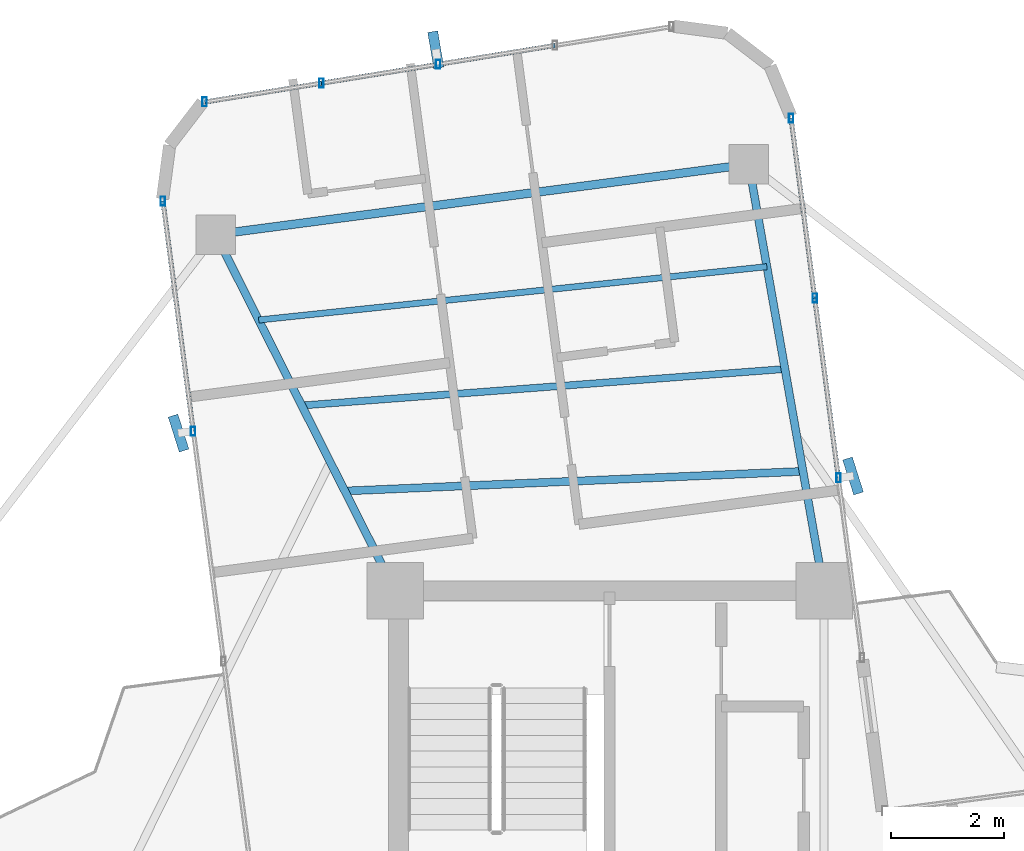
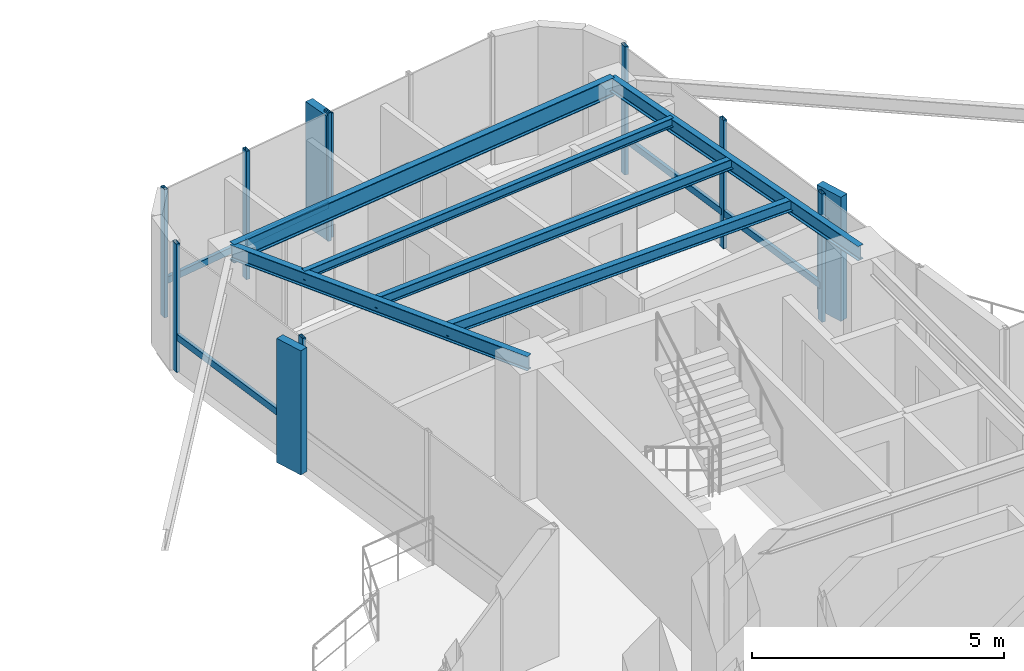
# One storey, part 14 of 22: 17 members, 6 beams, 3 elements without a shape of their own.
"""IFC4 building model written with IfcOpenShell, lengths in metres."""

from ifc_helpers import new_model, si_unit, direction, frame, origin, origin_2d, place, context, subcontext, project, spatial, rectangle, hollow_rectangle, i_section, extrude, source, transform, mapped, material, material_profile, profile_set, type_object, element, aggregate, save


model = new_model("IFC4")

# Units and contexts
model_context = context("Model", 3, precision=1e-05, world=origin(), true_north=direction((0.0, 1.0)))
body_context = subcontext(model_context, "Body", "Model", "MODEL_VIEW")
ifc_project = project(units=[si_unit("LENGTHUNIT", "METRE"), si_unit("AREAUNIT", "SQUARE_METRE"), si_unit("VOLUMEUNIT", "CUBIC_METRE"), si_unit("PLANEANGLEUNIT", "RADIAN"), si_unit("MASSUNIT", "GRAM", prefix="KILO")], contexts=[model_context])

# Site, building, storey
site_placement = place(None, origin())
site = spatial("IfcSite", under=ifc_project, at=site_placement, CompositionType="ELEMENT")
building_placement = place(site_placement, origin())
building = spatial("IfcBuilding", under=site, at=building_placement, Name="Sahyath Konkavel Grand Hotel", CompositionType="ELEMENT")
storey_placement = place(building_placement, frame((0.0, 0.0, 247.85009765625)))
storey = spatial("IfcBuildingStorey", under=building, at=storey_placement, Name="L69", CompositionType="ELEMENT", Elevation=247.85009765625)

# Beams
ifc_material_1 = material(Name="Steel E350", Category="steel")
ifc_material_profile_1 = material_profile(ifc_material_1, i_section(OverallWidth=0.139892578125, OverallDepth=0.35009765625, WebThickness=0.008056640625, FlangeThickness=0.01416015625, FilletRadius=0.013916015625, at=origin_2d()), Name="ISMB 350")
ifc_profile_set_1 = profile_set([ifc_material_profile_1], Name="Steel E350")
beam_type_1 = type_object("IfcBeamType", Name="BM-ISMB350", PredefinedType="BEAM", material=ifc_profile_set_1)
shared_shape_1 = source(origin(), body_context, "Body", "SweptSolid", [
    extrude(i_section(OverallWidth=0.139892578125, OverallDepth=0.35009765625, WebThickness=0.008056640625, FlangeThickness=0.01416015625, FilletRadius=0.013916015625, at=origin_2d()), origin(), (0.0, 0.0, 1.0), 7.670654296875),
])
beam_1_placement = place(storey_placement, frame((3.800048828125, 10.199951171875, 2.934814453125), z_axis=(-0.173810753243, 0.984779072715, 0.0), x_axis=(-0.984779072715, -0.173810753243, 0.0)))
element("IfcBeam", 1, at=beam_1_placement, inside=storey, type_object=beam_type_1, Name="L69 Cruciform Radial Girder NA", PredefinedType="BEAM", context=body_context, shape_type="MappedRepresentation", body=[
    mapped(shared_shape_1, transform((0.0, 0.0, 0.0), scale=1.0)),
])
shared_shape_2 = source(origin(), body_context, "Body", "SweptSolid", [
    extrude(i_section(OverallWidth=0.139892578125, OverallDepth=0.35009765625, WebThickness=0.008056640625, FlangeThickness=0.01416015625, FilletRadius=0.013916015625, at=origin_2d()), origin(), (0.0, 0.0, 1.0), 7.0654296875),
])
beam_2_placement = place(storey_placement, frame((-3.800048828125, 10.199951171875, 2.934814453125), z_axis=(-0.449754962666, 0.893151987938, 0.0), x_axis=(-0.893151987938, -0.449754962666, 0.0)))
element("IfcBeam", 2, at=beam_2_placement, inside=storey, type_object=beam_type_1, Name="L69 Cruciform Radial Girder NB", PredefinedType="BEAM", context=body_context, shape_type="MappedRepresentation", body=[
    mapped(shared_shape_2, transform((0.0, 0.0, 0.0), scale=1.0)),
])
ifc_material_profile_2 = material_profile(ifc_material_1, i_section(OverallWidth=0.14990234375, OverallDepth=0.449951171875, WebThickness=0.009521484375, FlangeThickness=0.017333984375, FilletRadius=0.014892578125, at=origin_2d()), Name="ISMB 450")
ifc_profile_set_2 = profile_set([ifc_material_profile_2], Name="Steel E350")
beam_type_2 = type_object("IfcBeamType", Name="BM-ISMB450", PredefinedType="BEAM", material=ifc_profile_set_2)
shared_shape_3 = source(origin(), body_context, "Body", "SweptSolid", [
    extrude(i_section(OverallWidth=0.14990234375, OverallDepth=0.449951171875, WebThickness=0.009521484375, FlangeThickness=0.017333984375, FilletRadius=0.014892578125, at=origin_2d()), origin(), (0.0, 0.0, 1.0), 9.526123046875),
])
beam_3_placement = place(storey_placement, frame((2.466796875, 17.75390625, 2.885009765625), z_axis=(-0.991444784658, -0.130526774932, 0.0), x_axis=(0.130526774932, -0.991444784658, 0.0)))
element("IfcBeam", 3, at=beam_3_placement, inside=storey, type_object=beam_type_2, Name="L69 Wing Tip Edge Beam N", PredefinedType="BEAM", context=body_context, shape_type="MappedRepresentation", body=[
    mapped(shared_shape_3, transform((0.0, 0.0, 0.0), scale=1.0)),
])
ifc_material_profile_3 = material_profile(ifc_material_1, i_section(OverallWidth=0.139892578125, OverallDepth=0.27490234375, WebThickness=0.00634765625, FlangeThickness=0.0087890625, FilletRadius=0.012939453125, at=origin_2d()), Name="ISLB 275")
ifc_profile_set_3 = profile_set([ifc_material_profile_3], Name="Steel E350")
beam_type_3 = type_object("IfcBeamType", Name="BM-ISLB275", PredefinedType="BEAM", material=ifc_profile_set_3)
shared_shape_4 = source(origin(), body_context, "Body", "SweptSolid", [
    extrude(i_section(OverallWidth=0.139892578125, OverallDepth=0.27490234375, WebThickness=0.00634765625, FlangeThickness=0.0087890625, FilletRadius=0.012939453125, at=origin_2d()), origin(), (0.0, 0.0, 1.0), 8.1240234375),
])
beam_4_placement = place(storey_placement, frame((3.4267578125, 12.315185546875, 2.972412109375), z_axis=(-0.999080046961, -0.0428842601, 0.0), x_axis=(0.0428842601, -0.999080046961, 0.0)))
element("IfcBeam", 4, at=beam_4_placement, inside=storey, type_object=beam_type_3, Name="L69 Secondary Floor Beam N-1", PredefinedType="BEAM", context=body_context, shape_type="MappedRepresentation", body=[
    mapped(shared_shape_4, transform((0.0, 0.0, 0.0), scale=1.0)),
])
ifc_material_profile_4 = material_profile(ifc_material_1, i_section(OverallWidth=0.125, OverallDepth=0.25, WebThickness=0.0068359375, FlangeThickness=0.012451171875, FilletRadius=0.012939453125, at=origin_2d()), Name="ISMB 250")
ifc_profile_set_4 = profile_set([ifc_material_profile_4], Name="Steel E350")
beam_type_4 = type_object("IfcBeamType", Name="BM-ISMB250", PredefinedType="BEAM", material=ifc_profile_set_4)
shared_shape_5 = source(origin(), body_context, "Body", "SweptSolid", [
    extrude(i_section(OverallWidth=0.125, OverallDepth=0.25, WebThickness=0.0068359375, FlangeThickness=0.012451171875, FilletRadius=0.012939453125, at=origin_2d()), origin(), (0.0, 0.0, 1.0), 8.58349609375),
])
beam_5_placement = place(storey_placement, frame((3.106689453125, 14.1279296875, 2.98486328125), z_axis=(-0.997159608067, -0.075317435169, 0.0), x_axis=(0.075317435169, -0.997159608067, 0.0)))
element("IfcBeam", 5, at=beam_5_placement, inside=storey, type_object=beam_type_4, Name="L69 Secondary Floor Beam N-2", PredefinedType="BEAM", context=body_context, shape_type="MappedRepresentation", body=[
    mapped(shared_shape_5, transform((0.0, 0.0, 0.0), scale=1.0)),
])
ifc_material_profile_5 = material_profile(ifc_material_1, i_section(OverallWidth=0.110107421875, OverallDepth=0.22509765625, WebThickness=0.006591796875, FlangeThickness=0.01171875, FilletRadius=0.011962890625, at=origin_2d()), Name="ISMB 225")
ifc_profile_set_5 = profile_set([ifc_material_profile_5], Name="Steel E350")
beam_type_5 = type_object("IfcBeamType", Name="BM-ISMB225", PredefinedType="BEAM", material=ifc_profile_set_5)
shared_shape_6 = source(origin(), body_context, "Body", "SweptSolid", [
    extrude(i_section(OverallWidth=0.110107421875, OverallDepth=0.22509765625, WebThickness=0.006591796875, FlangeThickness=0.01171875, FilletRadius=0.011962890625, at=origin_2d()), origin(), (0.0, 0.0, 1.0), 9.051513671875),
])
beam_6_placement = place(storey_placement, frame((2.786865234375, 15.94091796875, 2.997314453125), z_axis=(-0.994537035782, -0.10438431136, 0.0), x_axis=(0.10438431136, -0.994537035782, 0.0)))
element("IfcBeam", 6, at=beam_6_placement, inside=storey, type_object=beam_type_5, Name="L69 Secondary Floor Beam N-3", PredefinedType="BEAM", context=body_context, shape_type="MappedRepresentation", body=[
    mapped(shared_shape_6, transform((0.0, 0.0, 0.0), scale=1.0)),
])

# Curtain wall, members
ifc_material_2 = material(Name="Anodised Bronze Aluminium & Low-E Glazing", Category="aluminium")
curtain_wall_type = type_object("IfcCurtainWallType", Name="CW-ZONE4", PredefinedType="NOTDEFINED", material=ifc_material_2)
curtain_wall_1_placement = place(storey_placement, origin())
curtain_wall_1 = element("IfcCurtainWall", 7, at=curtain_wall_1_placement, inside=storey, type_object=curtain_wall_type, Name="L69 Unitised Curtain Wall F8", PredefinedType="NOTDEFINED")
ifc_material_3 = material(Name="Anodised Bronze Aluminium", Category="aluminium")
ifc_material_profile_6 = material_profile(ifc_material_3, hollow_rectangle(XDim=0.080078125, YDim=0.159912109375, WallThickness=0.006103515625, at=origin_2d()), Name="RHS 160x80x6")
ifc_profile_set_6 = profile_set([ifc_material_profile_6], Name="Anodised Bronze Aluminium")
member_type_1 = type_object("IfcMemberType", Name="CW-MUL-160", PredefinedType="MULLION", material=ifc_profile_set_6)
shared_shape_7 = source(origin(), body_context, "Body", "SweptSolid", [
    extrude(hollow_rectangle(XDim=0.080078125, YDim=0.159912109375, WallThickness=0.006103515625, at=origin_2d()), origin(), (0.0, 0.0, 1.0), 3.10986328125),
])
member_1_placement = place(storey_placement, frame((4.055419921875, 12.198974609375, 0.0), z_axis=(0.0, 0.0, 1.0), x_axis=(1.0, 0.0, 0.0)))
member_1 = element("IfcMember", 8, at=member_1_placement, type_object=member_type_1, Name="L69 Curtain Wall Mullion F8-1", PredefinedType="MULLION", context=body_context, shape_type="MappedRepresentation", body=[
    mapped(shared_shape_7, transform((0.0, 0.0, 0.0), scale=1.0)),
])
member_2_placement = place(storey_placement, frame((3.635986328125, 15.3837890625, 0.0), z_axis=(0.0, 0.0, 1.0), x_axis=(1.0, 0.0, 0.0)))
member_2 = element("IfcMember", 9, at=member_2_placement, type_object=member_type_1, Name="L69 Curtain Wall Mullion F8-2", PredefinedType="MULLION", context=body_context, shape_type="MappedRepresentation", body=[
    mapped(shared_shape_7, transform((0.0, 0.0, 0.0), scale=1.0)),
])
member_3_placement = place(storey_placement, frame((3.216796875, 18.568603515625, 0.0), z_axis=(0.0, 0.0, 1.0), x_axis=(1.0, 0.0, 0.0)))
member_3 = element("IfcMember", 10, at=member_3_placement, type_object=member_type_1, Name="L69 Curtain Wall Mullion F8-3", PredefinedType="MULLION", context=body_context, shape_type="MappedRepresentation", body=[
    mapped(shared_shape_7, transform((0.0, 0.0, 0.0), scale=1.0)),
])

curtain_wall_2_placement = place(storey_placement, origin())
curtain_wall_2 = element("IfcCurtainWall", 11, at=curtain_wall_2_placement, inside=storey, type_object=curtain_wall_type, Name="L69 Unitised Curtain Wall F12", PredefinedType="NOTDEFINED")
member_4_placement = place(storey_placement, frame((-3.037109375, 19.526611328125, 0.0), z_axis=(0.0, 0.0, 1.0), x_axis=(1.0, 0.0, 0.0)))
member_4 = element("IfcMember", 12, at=member_4_placement, type_object=member_type_1, Name="L69 Curtain Wall Mullion F12-2", PredefinedType="MULLION", context=body_context, shape_type="MappedRepresentation", body=[
    mapped(shared_shape_7, transform((0.0, 0.0, 0.0), scale=1.0)),
])
member_5_placement = place(storey_placement, frame((-5.10400390625, 19.192626953125, 0.0), z_axis=(0.0, 0.0, 1.0), x_axis=(1.0, 0.0, 0.0)))
member_5 = element("IfcMember", 13, at=member_5_placement, type_object=member_type_1, Name="L69 Curtain Wall Mullion F12-3", PredefinedType="MULLION", context=body_context, shape_type="MappedRepresentation", body=[
    mapped(shared_shape_7, transform((0.0, 0.0, 0.0), scale=1.0)),
])
member_6_placement = place(storey_placement, frame((-7.1708984375, 18.858642578125, 0.0), z_axis=(0.0, 0.0, 1.0), x_axis=(1.0, 0.0, 0.0)))
member_6 = element("IfcMember", 14, at=member_6_placement, type_object=member_type_1, Name="L69 Curtain Wall Mullion F12-4", PredefinedType="MULLION", context=body_context, shape_type="MappedRepresentation", body=[
    mapped(shared_shape_7, transform((0.0, 0.0, 0.0), scale=1.0)),
])

curtain_wall_3_placement = place(storey_placement, origin())
curtain_wall_3 = element("IfcCurtainWall", 15, at=curtain_wall_3_placement, inside=storey, type_object=curtain_wall_type, Name="L69 Unitised Curtain Wall F15", PredefinedType="NOTDEFINED")
member_7_placement = place(storey_placement, frame((-7.9130859375, 17.103515625, 0.0), z_axis=(0.0, 0.0, 1.0), x_axis=(1.0, 0.0, 0.0)))
member_7 = element("IfcMember", 16, at=member_7_placement, type_object=member_type_1, Name="L69 Curtain Wall Mullion F15-0", PredefinedType="MULLION", context=body_context, shape_type="MappedRepresentation", body=[
    mapped(shared_shape_7, transform((0.0, 0.0, 0.0), scale=1.0)),
])
member_8_placement = place(storey_placement, frame((-7.37646484375, 13.0263671875, 0.0), z_axis=(0.0, 0.0, 1.0), x_axis=(1.0, 0.0, 0.0)))
member_8 = element("IfcMember", 17, at=member_8_placement, type_object=member_type_1, Name="L69 Curtain Wall Mullion F15-1", PredefinedType="MULLION", context=body_context, shape_type="MappedRepresentation", body=[
    mapped(shared_shape_7, transform((0.0, 0.0, 0.0), scale=1.0)),
])

# Member
ifc_material_4 = material(Name="Warm Buff Sandstone Cladding on Concrete C50/60", Category="masonry")
ifc_material_profile_7 = material_profile(ifc_material_4, rectangle(XDim=0.179931640625, YDim=0.64990234375, at=origin_2d()), Name="FIN 180x650")
ifc_profile_set_7 = profile_set([ifc_material_profile_7], Name="Warm Buff Sandstone Cladding on Concrete C50/60")
member_type_2 = type_object("IfcMemberType", Name="FIN-SANDSTONE-650", PredefinedType="MULLION", material=ifc_profile_set_7)
shared_shape_8 = source(origin(), body_context, "Body", "SweptSolid", [
    extrude(rectangle(XDim=0.179931640625, YDim=0.64990234375, at=origin_2d()), origin(), (0.0, 0.0, 1.0), 3.010009765625),
])
member_9_placement = place(storey_placement, frame((4.313232421875, 12.23291015625, 0.0498046875), z_axis=(0.0, 0.0, 1.0), x_axis=(0.953348857629, 0.301870759858, 0.0)))
member_9 = element("IfcMember", 18, at=member_9_placement, type_object=member_type_2, Name="L69 Sandstone Vertical Solar Fin FIN F8-1", PredefinedType="MULLION", context=body_context, shape_type="MappedRepresentation", body=[
    mapped(shared_shape_8, transform((0.0, 0.0, 0.0), scale=1.0)),
])

member_10_placement = place(storey_placement, frame((-3.07861328125, 19.783447265625, 0.0498046875), z_axis=(0.0, 0.0, 1.0), x_axis=(0.98587937025, 0.16745706111, 0.0)))
member_10 = element("IfcMember", 19, at=member_10_placement, type_object=member_type_2, Name="L69 Sandstone Vertical Solar Fin FIN F12-2", PredefinedType="MULLION", context=body_context, shape_type="MappedRepresentation", body=[
    mapped(shared_shape_8, transform((0.0, 0.0, 0.0), scale=1.0)),
])

member_11_placement = place(storey_placement, frame((-7.63427734375, 12.992431640625, 0.0498046875), z_axis=(0.0, 0.0, 1.0), x_axis=(0.953348857629, 0.301870759858, 0.0)))
member_11 = element("IfcMember", 20, at=member_11_placement, type_object=member_type_2, Name="L69 Sandstone Vertical Solar Fin FIN F15-1", PredefinedType="MULLION", context=body_context, shape_type="MappedRepresentation", body=[
    mapped(shared_shape_8, transform((0.0, 0.0, 0.0), scale=1.0)),
])

ifc_material_profile_8 = material_profile(ifc_material_3, hollow_rectangle(XDim=0.080078125, YDim=0.159912109375, WallThickness=0.006103515625, at=origin_2d()), Name="RHS 160x80x6")
ifc_profile_set_8 = profile_set([ifc_material_profile_8], Name="Anodised Bronze Aluminium")
member_type_3 = type_object("IfcMemberType", Name="CW-TRN-160", PredefinedType="USERDEFINED", material=ifc_profile_set_8)
shared_shape_9 = source(origin(), body_context, "Body", "SweptSolid", [
    extrude(hollow_rectangle(XDim=0.080078125, YDim=0.159912109375, WallThickness=0.006103515625, at=origin_2d()), origin(), (0.0, 0.0, 1.0), 3.21240234375),
])
member_12_placement = place(storey_placement, frame((4.055419921875, 12.198974609375, 0.849853515625), z_axis=(-0.130570505736, 0.991439026381, 0.0), x_axis=(-0.991439026381, -0.130570505736, 0.0)))
member_12 = element("IfcMember", 21, at=member_12_placement, type_object=member_type_3, Name="L69 Curtain Wall Transom F8-1-spandrel", ObjectType="TRANSOM", PredefinedType="USERDEFINED", context=body_context, shape_type="MappedRepresentation", body=[
    mapped(shared_shape_9, transform((0.0, 0.0, 0.0), scale=1.0)),
])

member_13_placement = place(storey_placement, frame((3.635986328125, 15.3837890625, 0.849853515625), z_axis=(-0.130495798888, 0.991448862258, 0.0), x_axis=(-0.991448862258, -0.130495798888, 0.0)))
member_13 = element("IfcMember", 22, at=member_13_placement, type_object=member_type_3, Name="L69 Curtain Wall Transom F8-2-spandrel", ObjectType="TRANSOM", PredefinedType="USERDEFINED", context=body_context, shape_type="MappedRepresentation", body=[
    mapped(shared_shape_9, transform((0.0, 0.0, 0.0), scale=1.0)),
])

aggregate(curtain_wall_1, [member_1, member_9, member_2, member_3, member_12, member_13])

shared_shape_10 = source(origin(), body_context, "Body", "SweptSolid", [
    extrude(hollow_rectangle(XDim=0.080078125, YDim=0.159912109375, WallThickness=0.006103515625, at=origin_2d()), origin(), (0.0, 0.0, 1.0), 2.09375),
])
member_14_placement = place(storey_placement, frame((-3.037109375, 19.526611328125, 0.849853515625), z_axis=(-0.987194956849, -0.159518391326, 0.0), x_axis=(0.159518391326, -0.987194956849, 0.0)))
member_14 = element("IfcMember", 23, at=member_14_placement, type_object=member_type_3, Name="L69 Curtain Wall Transom F12-2-spandrel", ObjectType="TRANSOM", PredefinedType="USERDEFINED", context=body_context, shape_type="MappedRepresentation", body=[
    mapped(shared_shape_10, transform((0.0, 0.0, 0.0), scale=1.0)),
])

member_15_placement = place(storey_placement, frame((-5.10400390625, 19.192626953125, 0.849853515625), z_axis=(-0.987194956849, -0.159518391326, 0.0), x_axis=(0.159518391326, -0.987194956849, 0.0)))
member_15 = element("IfcMember", 24, at=member_15_placement, type_object=member_type_3, Name="L69 Curtain Wall Transom F12-3-spandrel", ObjectType="TRANSOM", PredefinedType="USERDEFINED", context=body_context, shape_type="MappedRepresentation", body=[
    mapped(shared_shape_10, transform((0.0, 0.0, 0.0), scale=1.0)),
])

shared_shape_11 = source(origin(), body_context, "Body", "SweptSolid", [
    extrude(hollow_rectangle(XDim=0.080078125, YDim=0.159912109375, WallThickness=0.006103515625, at=origin_2d()), origin(), (0.0, 0.0, 1.0), 2.093505859375),
])
member_16_placement = place(storey_placement, frame((-0.970458984375, 19.860595703125, 0.849853515625), z_axis=(-0.987191989141, -0.15953675619, 0.0), x_axis=(0.15953675619, -0.987191989141, 0.0)))
member_16 = element("IfcMember", 25, at=member_16_placement, type_object=member_type_3, Name="L69 Curtain Wall Transom F12-1-spandrel", ObjectType="TRANSOM", PredefinedType="USERDEFINED", context=body_context, shape_type="MappedRepresentation", body=[
    mapped(shared_shape_11, transform((0.0, 0.0, 0.0), scale=1.0)),
])

aggregate(curtain_wall_2, [member_4, member_10, member_5, member_6, member_16, member_14, member_15])

shared_shape_12 = source(origin(), body_context, "Body", "SweptSolid", [
    extrude(hollow_rectangle(XDim=0.080078125, YDim=0.159912109375, WallThickness=0.006103515625, at=origin_2d()), origin(), (0.0, 0.0, 1.0), 4.1123046875),
])
member_17_placement = place(storey_placement, frame((-7.9130859375, 17.103515625, 0.849853515625), z_axis=(0.130491370089, -0.991449445172, 0.0), x_axis=(0.991449445172, 0.130491370089, 0.0)))
member_17 = element("IfcMember", 26, at=member_17_placement, type_object=member_type_3, Name="L69 Curtain Wall Transom F15-0-spandrel", ObjectType="TRANSOM", PredefinedType="USERDEFINED", context=body_context, shape_type="MappedRepresentation", body=[
    mapped(shared_shape_12, transform((0.0, 0.0, 0.0), scale=1.0)),
])

aggregate(curtain_wall_3, [member_7, member_8, member_11, member_17])

save(model, "model.ifc")
